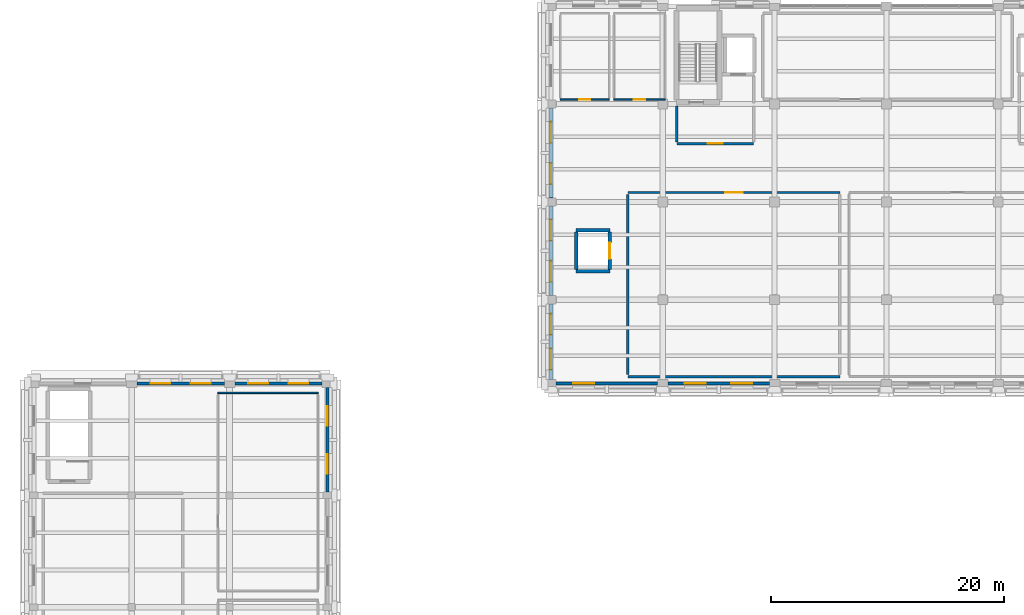
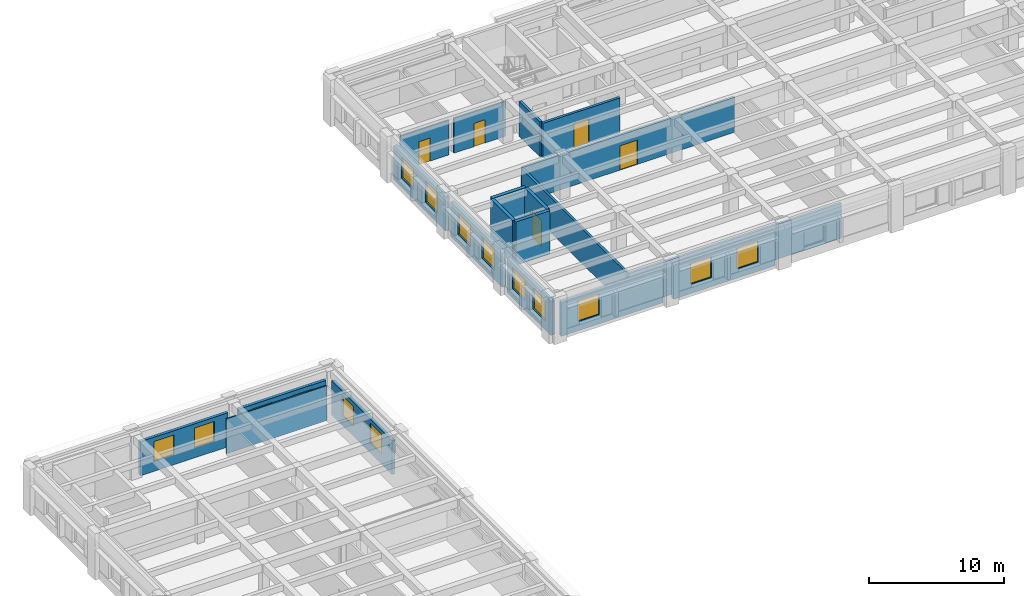
# One storey, part 8 of 17: 20 walls, 15 windows, 5 doors, 20 openings.
"""IFC4 building model written with IfcOpenShell, lengths in metres."""

from ifc_helpers import new_model, si_unit, direction, frame, frame_2d, origin, place, context, subcontext, project, spatial, rectangle, extrude, material, layer, layer_set, type_object, element, fill, save


model = new_model("IFC4")

# Units and contexts
model_context = context("Model", 3, precision=1e-05, world=origin(), true_north=direction((0.0, 1.0)))
body_context = subcontext(model_context, "Body", "Model", "MODEL_VIEW")
ifc_project = project(units=[si_unit("LENGTHUNIT", "METRE"), si_unit("AREAUNIT", "SQUARE_METRE"), si_unit("VOLUMEUNIT", "CUBIC_METRE"), si_unit("PLANEANGLEUNIT", "RADIAN"), si_unit("MASSUNIT", "GRAM", prefix="KILO")], contexts=[model_context])

# Site, building, storey
site_placement = place(None, origin())
site = spatial("IfcSite", under=ifc_project, at=site_placement, CompositionType="ELEMENT")
building_placement = place(site_placement, origin())
building = spatial("IfcBuilding", under=site, at=building_placement, Name="Bempovik Park Faculty of Sciences", CompositionType="ELEMENT")
storey_placement = place(building_placement, frame((0.0, 0.0, 22.5)))
storey = spatial("IfcBuildingStorey", under=building, at=storey_placement, Name="L05", CompositionType="ELEMENT", Elevation=22.5)

# Wall
ifc_material_1 = material(Name="Gypsum acoustic stud assembly")
ifc_layer_1 = layer(ifc_material_1, 0.1201171875)
ifc_layer_set_1 = layer_set([ifc_layer_1], Name="Gypsum acoustic stud assembly")
wall_type_1 = type_object("IfcWallType", Name="W-17 Wall 120mm", PredefinedType="PARTITIONING", material=ifc_layer_set_1)
wall_1_placement = place(storey_placement, frame((31.39990234375, 86.199951171875, 0.0), z_axis=(0.0, 0.0, 1.0), x_axis=(1.0, 0.0, 0.0)))
element("IfcWall", 1, at=wall_1_placement, inside=storey, type_object=wall_type_1, Name="L05 West Wing Principal Investigator Offices Partition North", PredefinedType="PARTITIONING", context=body_context, shape_type="SweptSolid", body=[
    extrude(rectangle(XDim=8.60009765625, YDim=0.1201171875, at=frame_2d((4.300048828125, 0.0))), origin(), (0.0, 0.0, 1.0), 3.14990234375),
])

# Wall, opening, door
wall_2_placement = place(storey_placement, frame((60.800048828125, 111.39990234375, 0.0), z_axis=(0.0, 0.0, 1.0), x_axis=(1.0, 0.0, 0.0)))
wall_2 = element("IfcWall", 2, at=wall_2_placement, inside=storey, type_object=wall_type_1, Name="L05 L05 Male WC Partition South", PredefinedType="PARTITIONING", context=body_context, shape_type="SweptSolid", body=[
    extrude(rectangle(XDim=4.199951171875, YDim=0.1201171875, at=frame_2d((2.10009765625, 0.0))), origin(), (0.0, 0.0, 1.0), 3.14990234375),
])
opening_1_placement = place(wall_2_placement, frame((1.625, 0.0, 0.0)))
opening_1 = element("IfcOpeningElement", 3, at=opening_1_placement, cuts=wall_2, Name="Opening D-56", PredefinedType="OPENING", context=body_context, shape_type="SweptSolid", body=[
    extrude(rectangle(XDim=0.949951171875, YDim=2.10009765625, at=frame_2d((0.47509765625, 1.050048828125))), frame((0.0, 0.070068359375, 0.0), z_axis=(0.0, -1.0, 0.0), x_axis=(1.0, 0.0, 0.0)), (0.0, 0.0, 1.0), 0.14013671875),
])
ifc_material_2 = material(Name="West African hardwood finish", Category="wood")
door_type_1 = type_object("IfcDoorType", Name="D-56 Door 950x2100", OperationType="NOTDEFINED", PredefinedType="DOOR", material=ifc_material_2)
door_1_placement = place(opening_1_placement, origin())
door_1 = element("IfcDoor", 4, at=door_1_placement, inside=storey, type_object=door_type_1, Name="L05 L05 Male WC Door", OperationType="SINGLE_SWING_RIGHT", OverallHeight=2.10009765625, OverallWidth=0.949951171875, PredefinedType="DOOR", context=body_context, shape_type="SweptSolid", body=[
    extrude(rectangle(XDim=0.949951171875, YDim=2.10009765625, at=frame_2d((0.47509765625, 1.050048828125))), frame((0.0, 0.02490234375, 0.0), z_axis=(0.0, -1.0, 0.0), x_axis=(1.0, 0.0, 0.0)), (0.0, 0.0, 1.0), 0.050048828125),
])
fill(opening_1, door_1)

wall_3_placement = place(storey_placement, frame((65.39990234375, 111.39990234375, 0.0), z_axis=(0.0, 0.0, 1.0), x_axis=(1.0, 0.0, 0.0)))
wall_3 = element("IfcWall", 5, at=wall_3_placement, inside=storey, type_object=wall_type_1, Name="L05 L05 Female WC Partition South", PredefinedType="PARTITIONING", context=body_context, shape_type="SweptSolid", body=[
    extrude(rectangle(XDim=4.400146484375, YDim=0.1201171875, at=frame_2d((2.2001953125, 0.0))), origin(), (0.0, 0.0, 1.0), 3.14990234375),
])
opening_2_placement = place(wall_3_placement, frame((1.72509765625, 0.0, 0.0)))
opening_2 = element("IfcOpeningElement", 6, at=opening_2_placement, cuts=wall_3, Name="Opening D-56", PredefinedType="OPENING", context=body_context, shape_type="SweptSolid", body=[
    extrude(rectangle(XDim=0.949951171875, YDim=2.10009765625, at=frame_2d((0.47509765625, 1.050048828125))), frame((0.0, 0.070068359375, 0.0), z_axis=(0.0, -1.0, 0.0), x_axis=(1.0, 0.0, 0.0)), (0.0, 0.0, 1.0), 0.14013671875),
])
door_2_placement = place(opening_2_placement, origin())
door_2 = element("IfcDoor", 7, at=door_2_placement, inside=storey, type_object=door_type_1, Name="L05 L05 Female WC Door", OperationType="SINGLE_SWING_LEFT", OverallHeight=2.10009765625, OverallWidth=0.949951171875, PredefinedType="DOOR", context=body_context, shape_type="SweptSolid", body=[
    extrude(rectangle(XDim=0.949951171875, YDim=2.10009765625, at=frame_2d((0.47509765625, 1.050048828125))), frame((0.0, 0.02490234375, 0.0), z_axis=(0.0, -1.0, 0.0), x_axis=(1.0, 0.0, 0.0)), (0.0, 0.0, 1.0), 0.050048828125),
])
fill(opening_2, door_2)

# Walls
ifc_material_3 = material(Name="Concrete C40/50", Category="concrete")
ifc_layer_2 = layer(ifc_material_3, 0.300048828125)
ifc_layer_set_2 = layer_set([ifc_layer_2], Name="Concrete C40/50")
wall_type_2 = type_object("IfcWallType", Name="W-31 Wall 300mm", PredefinedType="SHEAR", material=ifc_layer_set_2)
for number, where, z_axis, x_axis, name in (
    (8, (62.14990234375, 96.64990234375, 0.0), (0.0, 0.0, 1.0), (1.0, 0.0, 0.0), "Lift LF-5 L05 Shaft Wall South"),
    (9, (62.14990234375, 100.14990234375, 0.0), (0.0, 0.0, 1.0), (1.0, 0.0, 0.0), "Lift LF-5 L05 Shaft Wall North"),
):
    element("IfcWall", number, at=place(storey_placement, frame(where, z_axis=z_axis, x_axis=x_axis)), inside=storey, type_object=wall_type_2, Name=name, PredefinedType="SHEAR", context=body_context, shape_type="SweptSolid", body=[
        extrude(rectangle(XDim=2.900146484375, YDim=0.300048828125, at=frame_2d((1.4501953125, 0.0))), origin(), (0.0, 0.0, 1.0), 3.919921875),
    ])
wall_4_placement = place(storey_placement, frame((62.14990234375, 96.800048828125, 0.0), z_axis=(0.0, 0.0, 1.0), x_axis=(0.0, 1.0, 0.0)))
element("IfcWall", 10, at=wall_4_placement, inside=storey, type_object=wall_type_2, Name="Lift LF-5 L05 Shaft Wall West", PredefinedType="SHEAR", context=body_context, shape_type="SweptSolid", body=[
    extrude(rectangle(XDim=3.199951171875, YDim=0.300048828125, at=frame_2d((1.60009765625, 0.0))), origin(), (0.0, 0.0, 1.0), 3.919921875),
])

# Wall, opening, door
wall_5_placement = place(storey_placement, frame((65.050048828125, 96.800048828125, 0.0), z_axis=(0.0, 0.0, 1.0), x_axis=(0.0, 1.0, 0.0)))
wall_5 = element("IfcWall", 11, at=wall_5_placement, inside=storey, type_object=wall_type_2, Name="Lift LF-5 L05 Shaft Wall East", PredefinedType="SHEAR", context=body_context, shape_type="SweptSolid", body=[
    extrude(rectangle(XDim=3.199951171875, YDim=0.300048828125, at=frame_2d((1.60009765625, 0.0))), origin(), (0.0, 0.0, 1.0), 3.919921875),
])
opening_3_placement = place(wall_5_placement, frame((0.89990234375, 0.0, 0.0)))
opening_3 = element("IfcOpeningElement", 12, at=opening_3_placement, cuts=wall_5, Name="Opening LD-03", PredefinedType="OPENING", context=body_context, shape_type="SweptSolid", body=[
    extrude(rectangle(XDim=1.39990234375, YDim=2.300048828125, at=frame_2d((0.699951171875, 1.14990234375))), frame((0.0, 0.16015625, 0.0), z_axis=(0.0, -1.0, 0.0), x_axis=(1.0, 0.0, 0.0)), (0.0, 0.0, 1.0), 0.320068359375),
])
ifc_material_4 = material(Name="Painted steel S355", Category="steel")
door_type_2 = type_object("IfcDoorType", Name="LD-03 Door 1400x2300", OperationType="NOTDEFINED", PredefinedType="DOOR", material=ifc_material_4)
door_3_placement = place(opening_3_placement, origin())
door_3 = element("IfcDoor", 13, at=door_3_placement, inside=storey, type_object=door_type_2, Name="Lift LF-5 L05 Sliding Landing Door", OperationType="SLIDING_TO_LEFT", OverallHeight=2.300048828125, OverallWidth=1.39990234375, PredefinedType="DOOR", context=body_context, shape_type="SweptSolid", body=[
    extrude(rectangle(XDim=1.39990234375, YDim=2.300048828125, at=frame_2d((0.699951171875, 1.14990234375))), frame((0.0, 0.02490234375, 0.0), z_axis=(0.0, -1.0, 0.0), x_axis=(1.0, 0.0, 0.0)), (0.0, 0.0, 1.0), 0.050048828125),
])
fill(opening_3, door_3)

ifc_material_5 = material(Name="Concrete C35/45", Category="concrete")
ifc_layer_3 = layer(ifc_material_5, 0.219970703125)
ifc_layer_set_3 = layer_set([ifc_layer_3], Name="Concrete C35/45")
wall_type_3 = type_object("IfcWallType", Name="W-38 Wall 220mm", PredefinedType="PARTITIONING", material=ifc_layer_set_3)
wall_6_placement = place(storey_placement, frame((70.800048828125, 107.60009765625, 0.0), z_axis=(0.0, 0.0, 1.0), x_axis=(1.0, 0.0, 0.0)))
wall_6 = element("IfcWall", 14, at=wall_6_placement, inside=storey, type_object=wall_type_3, Name="L05 Firefighting Lift Lobby West Partition South", PredefinedType="PARTITIONING", context=body_context, shape_type="SweptSolid", body=[
    extrude(rectangle(XDim=6.599853515625, YDim=0.219970703125, at=frame_2d((3.2998046875, 0.0))), origin(), (0.0, 0.0, 1.0), 3.14990234375),
])
opening_4_placement = place(wall_6_placement, frame((2.64990234375, 0.0, 0.0)))
opening_4 = element("IfcOpeningElement", 15, at=opening_4_placement, cuts=wall_6, Name="Opening D-38", PredefinedType="OPENING", context=body_context, shape_type="SweptSolid", body=[
    extrude(rectangle(XDim=1.300048828125, YDim=2.199951171875, at=frame_2d((0.64990234375, 1.10009765625))), frame((0.0, 0.1201171875, 0.0), z_axis=(0.0, -1.0, 0.0), x_axis=(1.0, 0.0, 0.0)), (0.0, 0.0, 1.0), 0.239990234375),
])
door_type_3 = type_object("IfcDoorType", Name="D-38 Door 1300x2200", OperationType="NOTDEFINED", PredefinedType="DOOR", material=ifc_material_4)
door_4_placement = place(opening_4_placement, origin())
door_4 = element("IfcDoor", 16, at=door_4_placement, inside=storey, type_object=door_type_3, Name="L05 Firefighting Lift Lobby West Door", OperationType="SINGLE_SWING_RIGHT", OverallHeight=2.199951171875, OverallWidth=1.300048828125, PredefinedType="DOOR", context=body_context, shape_type="SweptSolid", body=[
    extrude(rectangle(XDim=1.300048828125, YDim=2.199951171875, at=frame_2d((0.64990234375, 1.10009765625))), frame((0.0, 0.02490234375, 0.0), z_axis=(0.0, -1.0, 0.0), x_axis=(1.0, 0.0, 0.0)), (0.0, 0.0, 1.0), 0.050048828125),
])
fill(opening_4, door_4)

# Wall
wall_7_placement = place(storey_placement, frame((70.800048828125, 107.760009765625, 0.0), z_axis=(0.0, 0.0, 1.0), x_axis=(0.0, 1.0, 0.0)))
element("IfcWall", 17, at=wall_7_placement, inside=storey, type_object=wall_type_3, Name="L05 Firefighting Lift Lobby West Partition West", PredefinedType="PARTITIONING", context=body_context, shape_type="SweptSolid", body=[
    extrude(rectangle(XDim=3.080078125, YDim=0.219970703125, at=frame_2d((1.5400390625, 0.0))), origin(), (0.0, 0.0, 1.0), 3.14990234375),
])

# Wall, openings, windows
ifc_material_6 = material(Name="Precast concrete C40/50", Category="concrete")
ifc_layer_4 = layer(ifc_material_6, 0.260009765625)
ifc_layer_set_4 = layer_set([ifc_layer_4], Name="Precast concrete C40/50")
wall_type_4 = type_object("IfcWallType", Name="W-54 Wall 260mm", PredefinedType="SOLIDWALL", material=ifc_layer_set_4)
wall_8_placement = place(storey_placement, frame((24.451904296875, 87.0, 0.0), z_axis=(0.0, 0.0, 1.0), x_axis=(1.0, 0.0, 0.0)))
wall_8 = element("IfcWall", 18, at=wall_8_placement, inside=storey, type_object=wall_type_4, Name="L05 Classical Precast Facade Wall EW-L05-9973", PredefinedType="SOLIDWALL", context=body_context, shape_type="SweptSolid", body=[
    extrude(rectangle(XDim=7.49609375, YDim=0.260009765625, at=frame_2d((3.748046875, 0.0))), origin(), (0.0, 0.0, 1.0), 3.080078125),
])
opening_5_placement = place(wall_8_placement, frame((1.173828125, 0.0, 0.89990234375)))
opening_5 = element("IfcOpeningElement", 19, at=opening_5_placement, cuts=wall_8, Name="Opening WN-33", PredefinedType="OPENING", context=body_context, shape_type="SweptSolid", body=[
    extrude(rectangle(XDim=1.699951171875, YDim=1.800048828125, at=frame_2d((0.85009765625, 0.89990234375))), frame((0.0, 0.14013671875, 0.0), z_axis=(0.0, -1.0, 0.0), x_axis=(1.0, 0.0, 0.0)), (0.0, 0.0, 1.0), 0.280029296875),
])
opening_6_placement = place(wall_8_placement, frame((4.6220703125, 0.0, 0.89990234375)))
opening_6 = element("IfcOpeningElement", 20, at=opening_6_placement, cuts=wall_8, Name="Opening WN-33", PredefinedType="OPENING", context=body_context, shape_type="SweptSolid", body=[
    extrude(rectangle(XDim=1.699951171875, YDim=1.800048828125, at=frame_2d((0.85009765625, 0.89990234375))), frame((0.0, 0.14013671875, 0.0), z_axis=(0.0, -1.0, 0.0), x_axis=(1.0, 0.0, 0.0)), (0.0, 0.0, 1.0), 0.280029296875),
])
ifc_material_7 = material(Name="Tempered laminated low-E glass", Category="glass")
window_type_1 = type_object("IfcWindowType", Name="WN-33 Window 1700x1800", PartitioningType="SINGLE_PANEL", PredefinedType="WINDOW", material=ifc_material_7)
window_1_placement = place(opening_5_placement, origin())
window_1 = element("IfcWindow", 21, at=window_1_placement, inside=storey, type_object=window_type_1, Name="L05 Window EW-L05-9973-1", OverallHeight=1.800048828125, OverallWidth=1.699951171875, PartitioningType="SINGLE_PANEL", PredefinedType="WINDOW", context=body_context, shape_type="SweptSolid", body=[
    extrude(rectangle(XDim=1.699951171875, YDim=1.800048828125, at=frame_2d((0.85009765625, 0.89990234375))), frame((0.0, 0.030029296875, 0.0), z_axis=(0.0, -1.0, 0.0), x_axis=(1.0, 0.0, 0.0)), (0.0, 0.0, 1.0), 0.06005859375),
])
fill(opening_5, window_1)
window_2_placement = place(opening_6_placement, origin())
window_2 = element("IfcWindow", 22, at=window_2_placement, inside=storey, type_object=window_type_1, Name="L05 Window EW-L05-9973-2", OverallHeight=1.800048828125, OverallWidth=1.699951171875, PartitioningType="SINGLE_PANEL", PredefinedType="WINDOW", context=body_context, shape_type="SweptSolid", body=[
    extrude(rectangle(XDim=1.699951171875, YDim=1.800048828125, at=frame_2d((0.85009765625, 0.89990234375))), frame((0.0, 0.030029296875, 0.0), z_axis=(0.0, -1.0, 0.0), x_axis=(1.0, 0.0, 0.0)), (0.0, 0.0, 1.0), 0.06005859375),
])
fill(opening_6, window_2)

wall_9_placement = place(storey_placement, frame((32.85205078125, 87.0, 0.0), z_axis=(0.0, 0.0, 1.0), x_axis=(1.0, 0.0, 0.0)))
wall_9 = element("IfcWall", 23, at=wall_9_placement, inside=storey, type_object=wall_type_4, Name="L05 Classical Precast Facade Wall EW-L05-9986", PredefinedType="SOLIDWALL", context=body_context, shape_type="SweptSolid", body=[
    extrude(rectangle(XDim=7.495849609375, YDim=0.260009765625, at=frame_2d((3.748046875, 0.0))), origin(), (0.0, 0.0, 1.0), 3.080078125),
])
opening_7_placement = place(wall_9_placement, frame((1.173828125, 0.0, 0.89990234375)))
opening_7 = element("IfcOpeningElement", 24, at=opening_7_placement, cuts=wall_9, Name="Opening WN-33", PredefinedType="OPENING", context=body_context, shape_type="SweptSolid", body=[
    extrude(rectangle(XDim=1.699951171875, YDim=1.800048828125, at=frame_2d((0.85009765625, 0.89990234375))), frame((0.0, 0.14013671875, 0.0), z_axis=(0.0, -1.0, 0.0), x_axis=(1.0, 0.0, 0.0)), (0.0, 0.0, 1.0), 0.280029296875),
])
opening_8_placement = place(wall_9_placement, frame((4.6220703125, 0.0, 0.89990234375)))
opening_8 = element("IfcOpeningElement", 25, at=opening_8_placement, cuts=wall_9, Name="Opening WN-33", PredefinedType="OPENING", context=body_context, shape_type="SweptSolid", body=[
    extrude(rectangle(XDim=1.699951171875, YDim=1.800048828125, at=frame_2d((0.85009765625, 0.89990234375))), frame((0.0, 0.14013671875, 0.0), z_axis=(0.0, -1.0, 0.0), x_axis=(1.0, 0.0, 0.0)), (0.0, 0.0, 1.0), 0.280029296875),
])
window_3_placement = place(opening_7_placement, origin())
window_3 = element("IfcWindow", 26, at=window_3_placement, inside=storey, type_object=window_type_1, Name="L05 Window EW-L05-9986-1", OverallHeight=1.800048828125, OverallWidth=1.699951171875, PartitioningType="SINGLE_PANEL", PredefinedType="WINDOW", context=body_context, shape_type="SweptSolid", body=[
    extrude(rectangle(XDim=1.699951171875, YDim=1.800048828125, at=frame_2d((0.85009765625, 0.89990234375))), frame((0.0, 0.030029296875, 0.0), z_axis=(0.0, -1.0, 0.0), x_axis=(1.0, 0.0, 0.0)), (0.0, 0.0, 1.0), 0.06005859375),
])
fill(opening_7, window_3)
window_4_placement = place(opening_8_placement, origin())
window_4 = element("IfcWindow", 27, at=window_4_placement, inside=storey, type_object=window_type_1, Name="L05 Window EW-L05-9986-2", OverallHeight=1.800048828125, OverallWidth=1.699951171875, PartitioningType="SINGLE_PANEL", PredefinedType="WINDOW", context=body_context, shape_type="SweptSolid", body=[
    extrude(rectangle(XDim=1.699951171875, YDim=1.800048828125, at=frame_2d((0.85009765625, 0.89990234375))), frame((0.0, 0.030029296875, 0.0), z_axis=(0.0, -1.0, 0.0), x_axis=(1.0, 0.0, 0.0)), (0.0, 0.0, 1.0), 0.06005859375),
])
fill(opening_8, window_4)

wall_10_placement = place(storey_placement, frame((40.800048828125, 77.672119140625, 0.0), z_axis=(0.0, 0.0, 1.0), x_axis=(0.0, 1.0, 0.0)))
wall_10 = element("IfcWall", 28, at=wall_10_placement, inside=storey, type_object=wall_type_4, Name="L05 Classical Precast Facade Wall EW-L05-10039", PredefinedType="SOLIDWALL", context=body_context, shape_type="SweptSolid", body=[
    extrude(rectangle(XDim=8.975830078125, YDim=0.260009765625, at=frame_2d((4.48779296875, 0.0))), origin(), (0.0, 0.0, 1.0), 3.080078125),
])
opening_9_placement = place(wall_10_placement, frame((1.573486328125, 0.0, 0.89990234375)))
opening_9 = element("IfcOpeningElement", 29, at=opening_9_placement, cuts=wall_10, Name="Opening WN-33", PredefinedType="OPENING", context=body_context, shape_type="SweptSolid", body=[
    extrude(rectangle(XDim=1.699951171875, YDim=1.800048828125, at=frame_2d((0.85009765625, 0.89990234375))), frame((0.0, 0.14013671875, 0.0), z_axis=(0.0, -1.0, 0.0), x_axis=(1.0, 0.0, 0.0)), (0.0, 0.0, 1.0), 0.280029296875),
])
opening_10_placement = place(wall_10_placement, frame((5.702392578125, 0.0, 0.89990234375)))
opening_10 = element("IfcOpeningElement", 30, at=opening_10_placement, cuts=wall_10, Name="Opening WN-33", PredefinedType="OPENING", context=body_context, shape_type="SweptSolid", body=[
    extrude(rectangle(XDim=1.699951171875, YDim=1.800048828125, at=frame_2d((0.85009765625, 0.89990234375))), frame((0.0, 0.14013671875, 0.0), z_axis=(0.0, -1.0, 0.0), x_axis=(1.0, 0.0, 0.0)), (0.0, 0.0, 1.0), 0.280029296875),
])
window_5_placement = place(opening_9_placement, origin())
window_5 = element("IfcWindow", 31, at=window_5_placement, inside=storey, type_object=window_type_1, Name="L05 Window EW-L05-10039-1", OverallHeight=1.800048828125, OverallWidth=1.699951171875, PartitioningType="SINGLE_PANEL", PredefinedType="WINDOW", context=body_context, shape_type="SweptSolid", body=[
    extrude(rectangle(XDim=1.699951171875, YDim=1.800048828125, at=frame_2d((0.85009765625, 0.89990234375))), frame((0.0, 0.030029296875, 0.0), z_axis=(0.0, -1.0, 0.0), x_axis=(1.0, 0.0, 0.0)), (0.0, 0.0, 1.0), 0.06005859375),
])
fill(opening_9, window_5)
window_6_placement = place(opening_10_placement, origin())
window_6 = element("IfcWindow", 32, at=window_6_placement, inside=storey, type_object=window_type_1, Name="L05 Window EW-L05-10039-2", OverallHeight=1.800048828125, OverallWidth=1.699951171875, PartitioningType="SINGLE_PANEL", PredefinedType="WINDOW", context=body_context, shape_type="SweptSolid", body=[
    extrude(rectangle(XDim=1.699951171875, YDim=1.800048828125, at=frame_2d((0.85009765625, 0.89990234375))), frame((0.0, 0.030029296875, 0.0), z_axis=(0.0, -1.0, 0.0), x_axis=(1.0, 0.0, 0.0)), (0.0, 0.0, 1.0), 0.06005859375),
])
fill(opening_10, window_6)

# Wall, opening, window
wall_11_placement = place(storey_placement, frame((60.451904296875, 87.0, 0.0), z_axis=(0.0, 0.0, 1.0), x_axis=(1.0, 0.0, 0.0)))
wall_11 = element("IfcWall", 33, at=wall_11_placement, inside=storey, type_object=wall_type_4, Name="L05 Classical Precast Facade Wall EW-L05-10274", PredefinedType="SOLIDWALL", context=body_context, shape_type="SweptSolid", body=[
    extrude(rectangle(XDim=8.696044921875, YDim=0.260009765625, at=frame_2d((4.34814453125, 0.0))), origin(), (0.0, 0.0, 1.0), 3.080078125),
])
opening_11_placement = place(wall_11_placement, frame((1.447998046875, 0.0, 0.85009765625)))
opening_11 = element("IfcOpeningElement", 34, at=opening_11_placement, cuts=wall_11, Name="Opening WN-81", PredefinedType="OPENING", context=body_context, shape_type="SweptSolid", body=[
    extrude(rectangle(XDim=1.800048828125, YDim=1.89990234375, at=frame_2d((0.89990234375, 0.949951171875))), frame((0.0, 0.14013671875, 0.0), z_axis=(0.0, -1.0, 0.0), x_axis=(1.0, 0.0, 0.0)), (0.0, 0.0, 1.0), 0.280029296875),
])
window_type_2 = type_object("IfcWindowType", Name="WN-81 Window 1800x1900", PartitioningType="SINGLE_PANEL", PredefinedType="WINDOW", material=ifc_material_7)
window_7_placement = place(opening_11_placement, origin())
window_7 = element("IfcWindow", 35, at=window_7_placement, inside=storey, type_object=window_type_2, Name="L05 Window EW-L05-10274-1", OverallHeight=1.89990234375, OverallWidth=1.800048828125, PartitioningType="SINGLE_PANEL", PredefinedType="WINDOW", context=body_context, shape_type="SweptSolid", body=[
    extrude(rectangle(XDim=1.800048828125, YDim=1.89990234375, at=frame_2d((0.89990234375, 0.949951171875))), frame((0.0, 0.030029296875, 0.0), z_axis=(0.0, -1.0, 0.0), x_axis=(1.0, 0.0, 0.0)), (0.0, 0.0, 1.0), 0.06005859375),
])
fill(opening_11, window_7)

# Wall, openings, windows
wall_12_placement = place(storey_placement, frame((70.052001953125, 87.0, 0.0), z_axis=(0.0, 0.0, 1.0), x_axis=(1.0, 0.0, 0.0)))
wall_12 = element("IfcWall", 36, at=wall_12_placement, inside=storey, type_object=wall_type_4, Name="L05 Classical Precast Facade Wall EW-L05-10286", PredefinedType="SOLIDWALL", context=body_context, shape_type="SweptSolid", body=[
    extrude(rectangle(XDim=8.696044921875, YDim=0.260009765625, at=frame_2d((4.34814453125, 0.0))), origin(), (0.0, 0.0, 1.0), 3.080078125),
])
opening_12_placement = place(wall_12_placement, frame((1.447998046875, 0.0, 0.85009765625)))
opening_12 = element("IfcOpeningElement", 37, at=opening_12_placement, cuts=wall_12, Name="Opening WN-81", PredefinedType="OPENING", context=body_context, shape_type="SweptSolid", body=[
    extrude(rectangle(XDim=1.800048828125, YDim=1.89990234375, at=frame_2d((0.89990234375, 0.949951171875))), frame((0.0, 0.14013671875, 0.0), z_axis=(0.0, -1.0, 0.0), x_axis=(1.0, 0.0, 0.0)), (0.0, 0.0, 1.0), 0.280029296875),
])
opening_13_placement = place(wall_12_placement, frame((5.447998046875, 0.0, 0.85009765625)))
opening_13 = element("IfcOpeningElement", 38, at=opening_13_placement, cuts=wall_12, Name="Opening WN-81", PredefinedType="OPENING", context=body_context, shape_type="SweptSolid", body=[
    extrude(rectangle(XDim=1.800048828125, YDim=1.89990234375, at=frame_2d((0.89990234375, 0.949951171875))), frame((0.0, 0.14013671875, 0.0), z_axis=(0.0, -1.0, 0.0), x_axis=(1.0, 0.0, 0.0)), (0.0, 0.0, 1.0), 0.280029296875),
])
window_8_placement = place(opening_12_placement, origin())
window_8 = element("IfcWindow", 39, at=window_8_placement, inside=storey, type_object=window_type_2, Name="L05 Window EW-L05-10286-1", OverallHeight=1.89990234375, OverallWidth=1.800048828125, PartitioningType="SINGLE_PANEL", PredefinedType="WINDOW", context=body_context, shape_type="SweptSolid", body=[
    extrude(rectangle(XDim=1.800048828125, YDim=1.89990234375, at=frame_2d((0.89990234375, 0.949951171875))), frame((0.0, 0.030029296875, 0.0), z_axis=(0.0, -1.0, 0.0), x_axis=(1.0, 0.0, 0.0)), (0.0, 0.0, 1.0), 0.06005859375),
])
fill(opening_12, window_8)
window_9_placement = place(opening_13_placement, origin())
window_9 = element("IfcWindow", 40, at=window_9_placement, inside=storey, type_object=window_type_2, Name="L05 Window EW-L05-10286-2", OverallHeight=1.89990234375, OverallWidth=1.800048828125, PartitioningType="SINGLE_PANEL", PredefinedType="WINDOW", context=body_context, shape_type="SweptSolid", body=[
    extrude(rectangle(XDim=1.800048828125, YDim=1.89990234375, at=frame_2d((0.89990234375, 0.949951171875))), frame((0.0, 0.030029296875, 0.0), z_axis=(0.0, -1.0, 0.0), x_axis=(1.0, 0.0, 0.0)), (0.0, 0.0, 1.0), 0.06005859375),
])
fill(opening_13, window_9)

ifc_layer_5 = layer(ifc_material_6, 0.320068359375)
ifc_layer_set_5 = layer_set([ifc_layer_5], Name="Precast concrete C40/50")
wall_type_5 = type_object("IfcWallType", Name="W-56 Wall 320mm", PredefinedType="SOLIDWALL", material=ifc_layer_set_5)
wall_13_placement = place(storey_placement, frame((60.0, 87.35205078125, 0.0), z_axis=(0.0, 0.0, 1.0), x_axis=(0.0, 1.0, 0.0)))
wall_13 = element("IfcWall", 41, at=wall_13_placement, inside=storey, type_object=wall_type_5, Name="L05 Classical Precast Facade Wall EW-L05-10092", PredefinedType="SOLIDWALL", context=body_context, shape_type="SweptSolid", body=[
    extrude(rectangle(XDim=6.495849609375, YDim=0.320068359375, at=frame_2d((3.248046875, 0.0))), origin(), (0.0, 0.0, 1.0), 3.080078125),
])
opening_14_placement = place(wall_13_placement, frame((0.85400390625, 0.0, 0.85009765625)))
opening_14 = element("IfcOpeningElement", 42, at=opening_14_placement, cuts=wall_13, Name="Opening WN-81", PredefinedType="OPENING", context=body_context, shape_type="SweptSolid", body=[
    extrude(rectangle(XDim=1.800048828125, YDim=1.89990234375, at=frame_2d((0.89990234375, 0.949951171875))), frame((0.0, 0.169921875, 0.0), z_axis=(0.0, -1.0, 0.0), x_axis=(1.0, 0.0, 0.0)), (0.0, 0.0, 1.0), 0.340087890625),
])
opening_15_placement = place(wall_13_placement, frame((3.842041015625, 0.0, 0.85009765625)))
opening_15 = element("IfcOpeningElement", 43, at=opening_15_placement, cuts=wall_13, Name="Opening WN-81", PredefinedType="OPENING", context=body_context, shape_type="SweptSolid", body=[
    extrude(rectangle(XDim=1.800048828125, YDim=1.89990234375, at=frame_2d((0.89990234375, 0.949951171875))), frame((0.0, 0.169921875, 0.0), z_axis=(0.0, -1.0, 0.0), x_axis=(1.0, 0.0, 0.0)), (0.0, 0.0, 1.0), 0.340087890625),
])
window_10_placement = place(opening_14_placement, origin())
window_10 = element("IfcWindow", 44, at=window_10_placement, inside=storey, type_object=window_type_2, Name="L05 Window EW-L05-10092-1", OverallHeight=1.89990234375, OverallWidth=1.800048828125, PartitioningType="SINGLE_PANEL", PredefinedType="WINDOW", context=body_context, shape_type="SweptSolid", body=[
    extrude(rectangle(XDim=1.800048828125, YDim=1.89990234375, at=frame_2d((0.89990234375, 0.949951171875))), frame((0.0, 0.030029296875, 0.0), z_axis=(0.0, -1.0, 0.0), x_axis=(1.0, 0.0, 0.0)), (0.0, 0.0, 1.0), 0.06005859375),
])
fill(opening_14, window_10)
window_11_placement = place(opening_15_placement, origin())
window_11 = element("IfcWindow", 45, at=window_11_placement, inside=storey, type_object=window_type_2, Name="L05 Window EW-L05-10092-2", OverallHeight=1.89990234375, OverallWidth=1.800048828125, PartitioningType="SINGLE_PANEL", PredefinedType="WINDOW", context=body_context, shape_type="SweptSolid", body=[
    extrude(rectangle(XDim=1.800048828125, YDim=1.89990234375, at=frame_2d((0.89990234375, 0.949951171875))), frame((0.0, 0.030029296875, 0.0), z_axis=(0.0, -1.0, 0.0), x_axis=(1.0, 0.0, 0.0)), (0.0, 0.0, 1.0), 0.06005859375),
])
fill(opening_15, window_11)

wall_14_placement = place(storey_placement, frame((60.0, 94.552001953125, 0.0), z_axis=(0.0, 0.0, 1.0), x_axis=(0.0, 1.0, 0.0)))
wall_14 = element("IfcWall", 46, at=wall_14_placement, inside=storey, type_object=wall_type_5, Name="L05 Classical Precast Facade Wall EW-L05-10106", PredefinedType="SOLIDWALL", context=body_context, shape_type="SweptSolid", body=[
    extrude(rectangle(XDim=7.696044921875, YDim=0.320068359375, at=frame_2d((3.84814453125, 0.0))), origin(), (0.0, 0.0, 1.0), 3.080078125),
])
opening_16_placement = place(wall_14_placement, frame((1.177978515625, 0.0, 0.85009765625)))
opening_16 = element("IfcOpeningElement", 47, at=opening_16_placement, cuts=wall_14, Name="Opening WN-81", PredefinedType="OPENING", context=body_context, shape_type="SweptSolid", body=[
    extrude(rectangle(XDim=1.800048828125, YDim=1.89990234375, at=frame_2d((0.89990234375, 0.949951171875))), frame((0.0, 0.169921875, 0.0), z_axis=(0.0, -1.0, 0.0), x_axis=(1.0, 0.0, 0.0)), (0.0, 0.0, 1.0), 0.340087890625),
])
opening_17_placement = place(wall_14_placement, frame((4.718017578125, 0.0, 0.85009765625)))
opening_17 = element("IfcOpeningElement", 48, at=opening_17_placement, cuts=wall_14, Name="Opening WN-81", PredefinedType="OPENING", context=body_context, shape_type="SweptSolid", body=[
    extrude(rectangle(XDim=1.800048828125, YDim=1.89990234375, at=frame_2d((0.89990234375, 0.949951171875))), frame((0.0, 0.169921875, 0.0), z_axis=(0.0, -1.0, 0.0), x_axis=(1.0, 0.0, 0.0)), (0.0, 0.0, 1.0), 0.340087890625),
])
window_12_placement = place(opening_16_placement, origin())
window_12 = element("IfcWindow", 49, at=window_12_placement, inside=storey, type_object=window_type_2, Name="L05 Window EW-L05-10106-1", OverallHeight=1.89990234375, OverallWidth=1.800048828125, PartitioningType="SINGLE_PANEL", PredefinedType="WINDOW", context=body_context, shape_type="SweptSolid", body=[
    extrude(rectangle(XDim=1.800048828125, YDim=1.89990234375, at=frame_2d((0.89990234375, 0.949951171875))), frame((0.0, 0.030029296875, 0.0), z_axis=(0.0, -1.0, 0.0), x_axis=(1.0, 0.0, 0.0)), (0.0, 0.0, 1.0), 0.06005859375),
])
fill(opening_16, window_12)
window_13_placement = place(opening_17_placement, origin())
window_13 = element("IfcWindow", 50, at=window_13_placement, inside=storey, type_object=window_type_2, Name="L05 Window EW-L05-10106-2", OverallHeight=1.89990234375, OverallWidth=1.800048828125, PartitioningType="SINGLE_PANEL", PredefinedType="WINDOW", context=body_context, shape_type="SweptSolid", body=[
    extrude(rectangle(XDim=1.800048828125, YDim=1.89990234375, at=frame_2d((0.89990234375, 0.949951171875))), frame((0.0, 0.030029296875, 0.0), z_axis=(0.0, -1.0, 0.0), x_axis=(1.0, 0.0, 0.0)), (0.0, 0.0, 1.0), 0.06005859375),
])
fill(opening_17, window_13)

wall_15_placement = place(storey_placement, frame((60.0, 102.951904296875, 0.0), z_axis=(0.0, 0.0, 1.0), x_axis=(0.0, 1.0, 0.0)))
wall_15 = element("IfcWall", 51, at=wall_15_placement, inside=storey, type_object=wall_type_5, Name="L05 Classical Precast Facade Wall EW-L05-10119", PredefinedType="SOLIDWALL", context=body_context, shape_type="SweptSolid", body=[
    extrude(rectangle(XDim=7.696044921875, YDim=0.320068359375, at=frame_2d((3.84814453125, 0.0))), origin(), (0.0, 0.0, 1.0), 3.080078125),
])
opening_18_placement = place(wall_15_placement, frame((1.177978515625, 0.0, 0.85009765625)))
opening_18 = element("IfcOpeningElement", 52, at=opening_18_placement, cuts=wall_15, Name="Opening WN-81", PredefinedType="OPENING", context=body_context, shape_type="SweptSolid", body=[
    extrude(rectangle(XDim=1.800048828125, YDim=1.89990234375, at=frame_2d((0.89990234375, 0.949951171875))), frame((0.0, 0.169921875, 0.0), z_axis=(0.0, -1.0, 0.0), x_axis=(1.0, 0.0, 0.0)), (0.0, 0.0, 1.0), 0.340087890625),
])
opening_19_placement = place(wall_15_placement, frame((4.718017578125, 0.0, 0.85009765625)))
opening_19 = element("IfcOpeningElement", 53, at=opening_19_placement, cuts=wall_15, Name="Opening WN-81", PredefinedType="OPENING", context=body_context, shape_type="SweptSolid", body=[
    extrude(rectangle(XDim=1.800048828125, YDim=1.89990234375, at=frame_2d((0.89990234375, 0.949951171875))), frame((0.0, 0.169921875, 0.0), z_axis=(0.0, -1.0, 0.0), x_axis=(1.0, 0.0, 0.0)), (0.0, 0.0, 1.0), 0.340087890625),
])
window_14_placement = place(opening_18_placement, origin())
window_14 = element("IfcWindow", 54, at=window_14_placement, inside=storey, type_object=window_type_2, Name="L05 Window EW-L05-10119-1", OverallHeight=1.89990234375, OverallWidth=1.800048828125, PartitioningType="SINGLE_PANEL", PredefinedType="WINDOW", context=body_context, shape_type="SweptSolid", body=[
    extrude(rectangle(XDim=1.800048828125, YDim=1.89990234375, at=frame_2d((0.89990234375, 0.949951171875))), frame((0.0, 0.030029296875, 0.0), z_axis=(0.0, -1.0, 0.0), x_axis=(1.0, 0.0, 0.0)), (0.0, 0.0, 1.0), 0.06005859375),
])
fill(opening_18, window_14)
window_15_placement = place(opening_19_placement, origin())
window_15 = element("IfcWindow", 55, at=window_15_placement, inside=storey, type_object=window_type_2, Name="L05 Window EW-L05-10119-2", OverallHeight=1.89990234375, OverallWidth=1.800048828125, PartitioningType="SINGLE_PANEL", PredefinedType="WINDOW", context=body_context, shape_type="SweptSolid", body=[
    extrude(rectangle(XDim=1.800048828125, YDim=1.89990234375, at=frame_2d((0.89990234375, 0.949951171875))), frame((0.0, 0.030029296875, 0.0), z_axis=(0.0, -1.0, 0.0), x_axis=(1.0, 0.0, 0.0)), (0.0, 0.0, 1.0), 0.06005859375),
])
fill(opening_19, window_15)

# Wall
ifc_layer_6 = layer(ifc_material_5, 0.199951171875)
ifc_layer_set_6 = layer_set([ifc_layer_6], Name="Concrete C35/45")
wall_type_6 = type_object("IfcWallType", Name="W-59 Wall 200mm", PredefinedType="PARTITIONING", material=ifc_layer_set_6)
wall_16_placement = place(storey_placement, frame((66.60009765625, 87.60009765625, 0.0), z_axis=(0.0, 0.0, 1.0), x_axis=(1.0, 0.0, 0.0)))
element("IfcWall", 56, at=wall_16_placement, inside=storey, type_object=wall_type_6, Name="L05 Solid-State Physics Research Laboratory Partition South", PredefinedType="PARTITIONING", context=body_context, shape_type="SweptSolid", body=[
    extrude(rectangle(XDim=18.199951171875, YDim=0.199951171875, at=frame_2d((9.10009765625, 0.0))), origin(), (0.0, 0.0, 1.0), 3.14990234375),
])

# Wall, opening, door
wall_17_placement = place(storey_placement, frame((66.60009765625, 103.39990234375, 0.0), z_axis=(0.0, 0.0, 1.0), x_axis=(1.0, 0.0, 0.0)))
wall_17 = element("IfcWall", 57, at=wall_17_placement, inside=storey, type_object=wall_type_6, Name="L05 Solid-State Physics Research Laboratory Partition North", PredefinedType="PARTITIONING", context=body_context, shape_type="SweptSolid", body=[
    extrude(rectangle(XDim=18.199951171875, YDim=0.199951171875, at=frame_2d((9.10009765625, 0.0))), origin(), (0.0, 0.0, 1.0), 3.14990234375),
])
opening_20_placement = place(wall_17_placement, frame((8.35009765625, 0.0, 0.0)))
opening_20 = element("IfcOpeningElement", 58, at=opening_20_placement, cuts=wall_17, Name="Opening D-22", PredefinedType="OPENING", context=body_context, shape_type="SweptSolid", body=[
    extrude(rectangle(XDim=1.5, YDim=2.199951171875, at=frame_2d((0.75, 1.10009765625))), frame((0.0, 0.10986328125, 0.0), z_axis=(0.0, -1.0, 0.0), x_axis=(1.0, 0.0, 0.0)), (0.0, 0.0, 1.0), 0.219970703125),
])
door_type_4 = type_object("IfcDoorType", Name="D-22 Door 1500x2200", OperationType="NOTDEFINED", PredefinedType="DOOR", material=ifc_material_2)
door_5_placement = place(opening_20_placement, origin())
door_5 = element("IfcDoor", 59, at=door_5_placement, inside=storey, type_object=door_type_4, Name="L05 Solid-State Physics Research Laboratory Door", OperationType="SINGLE_SWING_RIGHT", OverallHeight=2.199951171875, OverallWidth=1.5, PredefinedType="DOOR", context=body_context, shape_type="SweptSolid", body=[
    extrude(rectangle(XDim=1.5, YDim=2.199951171875, at=frame_2d((0.75, 1.10009765625))), frame((0.0, 0.02490234375, 0.0), z_axis=(0.0, -1.0, 0.0), x_axis=(1.0, 0.0, 0.0)), (0.0, 0.0, 1.0), 0.050048828125),
])
fill(opening_20, door_5)

# Wall
wall_18_placement = place(storey_placement, frame((66.60009765625, 87.760009765625, 0.0), z_axis=(0.0, 0.0, 1.0), x_axis=(0.0, 1.0, 0.0)))
element("IfcWall", 60, at=wall_18_placement, inside=storey, type_object=wall_type_6, Name="L05 Solid-State Physics Research Laboratory Partition West", PredefinedType="PARTITIONING", context=body_context, shape_type="SweptSolid", body=[
    extrude(rectangle(XDim=15.47998046875, YDim=0.199951171875, at=frame_2d((7.739990234375, 0.0))), origin(), (0.0, 0.0, 1.0), 3.14990234375),
])

save(model, "model.ifc")
